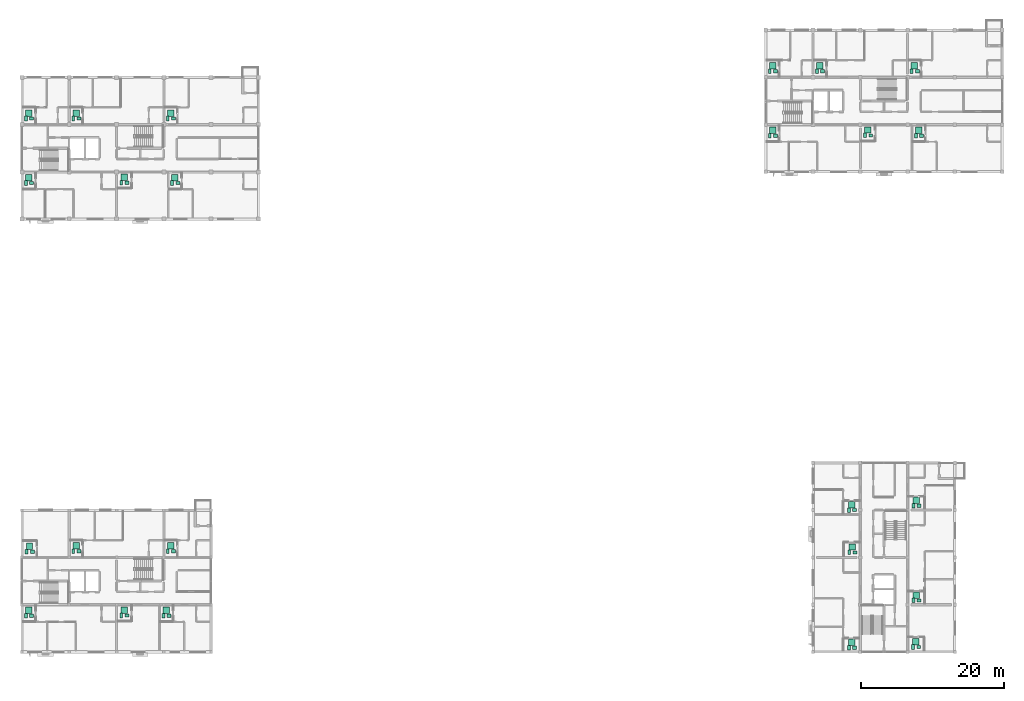
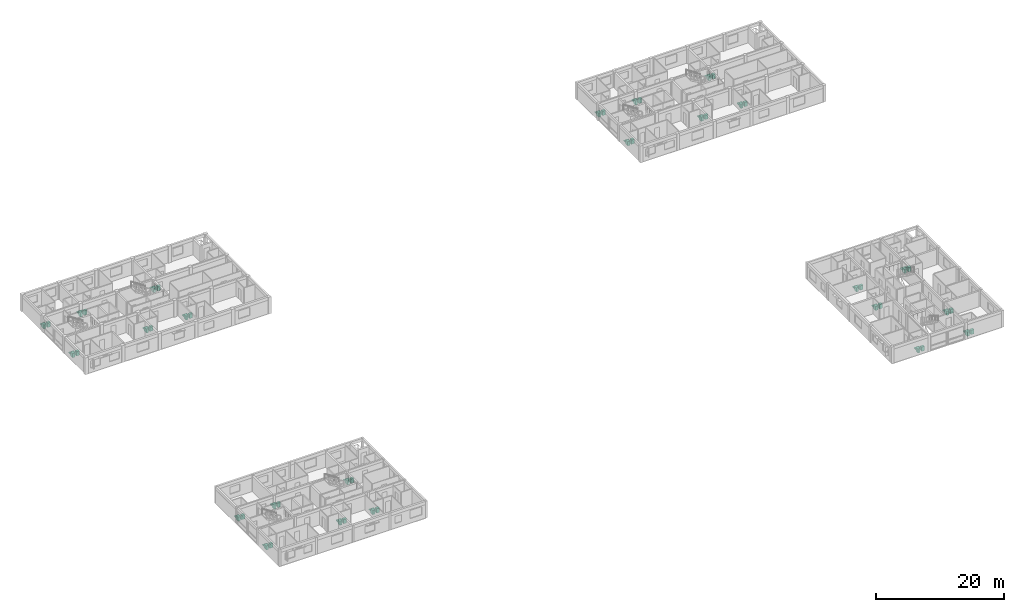
# One storey, part 53 of 53: 72 sanitary terminals.
"""IFC4 building model written with IfcOpenShell, lengths in metres."""

import ifcopenshell
import ifcopenshell.guid

model = None  # the IFC model being written
_history = None  # IfcOwnerHistory: only IFC2X3 demands one
_inside = {}  # id of a spatial element -> (the spatial element, [elements in it])
_under = {}  # id of a project, library or spatial element -> (it, [spatial elements below it])
_declared = {}  # id of a project -> (the project, [libraries it declares])
_typed = {}  # id of a type object -> (the type object, [elements of that type])
_made_of = {}  # id of a material, layer set ... -> (it, [elements and type objects made of it])


def new_model(schema):
    """Start an empty IFC model of exactly this schema.

    Asked for "IFC4X3", IfcOpenShell would pick the latest addendum, in which some entities
    have other attributes; the version numbers below select the first issue.
    IFC2X3 requires an IfcOwnerHistory on every rooted entity: one is made here for all.
    """
    global model, _history
    if schema == "IFC4X3":
        model = ifcopenshell.file(schema_version=(4, 3, 0, 0))
    else:
        model = ifcopenshell.file(schema=schema)
    _inside.clear()
    _under.clear()
    _declared.clear()
    _typed.clear()
    _made_of.clear()
    _history = None
    if model.schema == "IFC2X3":
        org = make("IfcOrganization", Name="unknown")
        user = make(
            "IfcPersonAndOrganization",
            ThePerson=make("IfcPerson", FamilyName="unknown"),
            TheOrganization=org,
        )
        app = make(
            "IfcApplication",
            ApplicationDeveloper=org,
            Version="unknown",
            ApplicationFullName="unknown",
            ApplicationIdentifier="unknown",
        )
        _history = make(
            "IfcOwnerHistory",
            OwningUser=user,
            OwningApplication=app,
            ChangeAction="ADDED",
            CreationDate=0,
        )
    return model


def make(cls, **values):
    """One entity of the class cls with the attributes given. An attribute that is None is left unset."""
    return model.create_entity(
        cls, **{name: value for name, value in values.items() if value is not None}
    )


def rooted(cls, **values):
    """An entity with a GlobalId (a new one), such as an element, a storey or a relation."""
    return make(cls, GlobalId=ifcopenshell.guid.new(), OwnerHistory=_history, **values)


def si_unit(unit_type, name, prefix=None):
    """IfcSIUnit, for example si_unit("LENGTHUNIT", "METRE", prefix="MILLI")."""
    return make("IfcSIUnit", UnitType=unit_type, Prefix=prefix, Name=name)


def assignment(units):
    """IfcUnitAssignment: the units of a project."""
    return None if units is None else make("IfcUnitAssignment", Units=units)


def point(xyz):
    """IfcCartesianPoint."""
    return None if xyz is None else make("IfcCartesianPoint", Coordinates=xyz)


def direction(xyz):
    """IfcDirection."""
    return None if xyz is None else make("IfcDirection", DirectionRatios=xyz)


def frame(location, z_axis=None, x_axis=None):
    """IfcAxis2Placement3D, a coordinate frame: its origin and axes. An axis left out is left unset."""
    return make(
        "IfcAxis2Placement3D",
        Location=point(location),
        Axis=direction(z_axis),
        RefDirection=direction(x_axis),
    )


def frame_2d(location, x_axis=None):
    """IfcAxis2Placement2D, a coordinate frame in the plane: its origin and x axis."""
    return make(
        "IfcAxis2Placement2D", Location=point(location), RefDirection=direction(x_axis)
    )


def origin():
    """The frame at (0, 0, 0) with its axes left unset."""
    return frame((0.0, 0.0, 0.0))


def origin_2d():
    """The frame at (0, 0) in the plane with its x axis left unset."""
    return frame_2d((0.0, 0.0))


def place(relative_to, where):
    """IfcLocalPlacement: puts the frame where relative to a parent placement (None: the world)."""
    return make(
        "IfcLocalPlacement", PlacementRelTo=relative_to, RelativePlacement=where
    )


def context(
    kind, dimensions, precision=None, world=None, true_north=None, identifier=None
):
    """IfcGeometricRepresentationContext, for example the 3D "Model" context."""
    return make(
        "IfcGeometricRepresentationContext",
        ContextIdentifier=identifier,
        ContextType=kind,
        CoordinateSpaceDimension=dimensions,
        Precision=precision,
        WorldCoordinateSystem=world,
        TrueNorth=true_north,
    )


def subcontext(parent, identifier, kind, view, scale=None):
    """IfcGeometricRepresentationSubContext, for example "Body" below "Model"."""
    return make(
        "IfcGeometricRepresentationSubContext",
        ContextIdentifier=identifier,
        ContextType=kind,
        ParentContext=parent,
        TargetScale=scale,
        TargetView=view,
    )


def project(units=None, contexts=None):
    """IfcProject with its units and contexts."""
    return rooted(
        "IfcProject",
        Name="project",
        RepresentationContexts=contexts,
        UnitsInContext=assignment(units),
    )


def spatial(cls, under=None, at=None, **own):
    """A site, building, storey or space (cls), placed at a placement, below another one or the project."""
    s = rooted(cls, ObjectPlacement=at, **own)
    if under is not None:
        _under.setdefault(under.id(), (under, []))[1].append(s)
    return s


def profile(cls, at=None, kind="AREA", **sizes):
    """A parametric profile (cls). Its sizes go by their IFC names, for example OverallWidth=200.0."""
    return make(cls, ProfileType=kind, Position=at, **sizes)


def rectangle(**sizes):
    """IfcRectangleProfileDef."""
    return profile("IfcRectangleProfileDef", **sizes)


def extrude(swept, where, along, depth):
    """IfcExtrudedAreaSolid: the profile swept, set in the frame where, extruded along a direction by depth."""
    return make(
        "IfcExtrudedAreaSolid",
        SweptArea=swept,
        Position=where,
        ExtrudedDirection=direction(along),
        Depth=depth,
    )


def shape(context_of_items, identifier, shape_type, items):
    """IfcShapeRepresentation: the items that make up one representation, for example the "Body"."""
    return make(
        "IfcShapeRepresentation",
        ContextOfItems=context_of_items,
        RepresentationIdentifier=identifier,
        RepresentationType=shape_type,
        Items=items,
    )


def material(Name=None, Category=None):
    """IfcMaterial."""
    return make("IfcMaterial", Name=Name, Category=Category)


def made_of(thing, what):
    """Note that an element or type object is made of a material, layer set ...; save() writes the relation."""
    if what is not None:
        _made_of.setdefault(what.id(), (what, []))[1].append(thing)
    return thing


def type_object(cls, material=None, **own):
    """A type object (cls), such as IfcWallType, which elements share."""
    return made_of(rooted(cls, **own), material)


def element(
    cls,
    number,
    at=None,
    inside=None,
    cuts=None,
    type_object=None,
    material=None,
    context=None,
    identifier="Body",
    shape_type=None,
    held_by="IfcProductDefinitionShape",
    body=None,
    shapes=None,
    **own,
):
    """One element of the class cls, such as IfcWall. Its Tag is "e" and its number.

    at: its placement. inside: the storey or other place that contains it. cuts: it is an
    opening in that element (IfcRelVoidsElement). A single representation is given by context,
    identifier, shape_type and body (its items); several are given by shapes. held_by: the class
    of the entity that holds the representations. save() writes the other relations.
    """
    e = rooted(cls, Tag="e%d" % number, ObjectPlacement=at, **own)
    if body is not None:
        shapes = [shape(context, identifier, shape_type, body)]
    if shapes is not None:
        e.Representation = make(held_by, Representations=shapes)
    if inside is not None:
        _inside.setdefault(inside.id(), (inside, []))[1].append(e)
    if cuts is not None:
        rooted(
            "IfcRelVoidsElement", RelatingBuildingElement=cuts, RelatedOpeningElement=e
        )
    if type_object is not None:
        _typed.setdefault(type_object.id(), (type_object, []))[1].append(e)
    return made_of(e, material)


def aggregate(whole, parts):
    """IfcRelAggregates: a whole, such as a stair, and the parts it consists of."""
    return rooted("IfcRelAggregates", RelatingObject=whole, RelatedObjects=parts)


def save(model, path):
    """Write the relations noted so far, then the file.

    IfcRelAggregates (storeys below a building ...), IfcRelContainedInSpatialStructure (elements
    in a storey), IfcRelDefinesByType, IfcRelAssociatesMaterial and IfcRelDeclares: one each for
    every whole, place, type object, material and project.
    """
    for whole, parts in _under.values():
        aggregate(whole, parts)
    for where, things in _inside.values():
        rooted(
            "IfcRelContainedInSpatialStructure",
            RelatedElements=things,
            RelatingStructure=where,
        )
    for kind, things in _typed.values():
        rooted("IfcRelDefinesByType", RelatedObjects=things, RelatingType=kind)
    for what, things in _made_of.values():
        rooted("IfcRelAssociatesMaterial", RelatedObjects=things, RelatingMaterial=what)
    for by, libraries in _declared.values():
        rooted("IfcRelDeclares", RelatingContext=by, RelatedDefinitions=libraries)
    model.write(path)


model = new_model("IFC4")

# Units and contexts
model_context = context("Model", 3, precision=1e-05, world=origin(), true_north=direction((0.0, 1.0)))
body_context = subcontext(model_context, "Body", "Model", "MODEL_VIEW")
ifc_project = project(units=[si_unit("LENGTHUNIT", "METRE"), si_unit("AREAUNIT", "SQUARE_METRE"), si_unit("VOLUMEUNIT", "CUBIC_METRE"), si_unit("PLANEANGLEUNIT", "RADIAN"), si_unit("MASSUNIT", "GRAM", prefix="KILO")], contexts=[model_context])

# Site, building, storey
site_placement = place(None, origin())
site = spatial("IfcSite", under=ifc_project, at=site_placement, CompositionType="ELEMENT")
building_placement = place(site_placement, origin())
building = spatial("IfcBuilding", under=site, at=building_placement, Name="Kernevlak Ridge Housing Community", CompositionType="ELEMENT")
storey_placement = place(building_placement, frame((0.0, 0.0, 24.39990234375)))
storey = spatial("IfcBuildingStorey", under=building, at=storey_placement, Name="L07", CompositionType="ELEMENT", Elevation=24.39990234375)

# Sanitary terminals
ifc_material_1 = material(Name="Vitreous china ceramic")
sanitary_terminal_type_1 = type_object("IfcSanitaryTerminalType", Name="SN-BS", PredefinedType="WASHHANDBASIN", material=ifc_material_1)
for number, where, z_axis, x_axis, name in (
    (1, (16.949951171875, 81.050048828125, 0.0), (0.0, 0.0, 1.0), (1.0, 0.0, 0.0), "Washhand basin 37"),
    (2, (30.25, 81.10009765625, 0.0), (0.0, 0.0, 1.0), (1.0, 0.0, 0.0), "Washhand basin 38"),
    (3, (37.35009765625, 81.050048828125, 0.0), (0.0, 0.0, 1.0), (1.0, 0.0, 0.0), "Washhand basin 39"),
    (4, (16.949951171875, 90.050048828125, 0.0), (0.0, 0.0, 1.0), (1.0, 0.0, 0.0), "Washhand basin 40"),
    (5, (23.550048828125, 90.050048828125, 0.0), (0.0, 0.0, 1.0), (1.0, 0.0, 0.0), "Washhand basin 41"),
    (6, (36.75, 90.050048828125, 0.0), (0.0, 0.0, 1.0), (1.0, 0.0, 0.0), "Washhand basin 42"),
    (7, (120.75, 87.64990234375, 0.0), (0.0, 0.0, 1.0), (1.0, 0.0, 0.0), "Washhand basin 134"),
    (8, (134.050048828125, 87.699951171875, 0.0), (0.0, 0.0, 1.0), (1.0, 0.0, 0.0), "Washhand basin 135"),
    (9, (141.14990234375, 87.64990234375, 0.0), (0.0, 0.0, 1.0), (1.0, 0.0, 0.0), "Washhand basin 136"),
    (10, (120.75, 96.64990234375, 0.0), (0.0, 0.0, 1.0), (1.0, 0.0, 0.0), "Washhand basin 137"),
    (11, (127.35009765625, 96.64990234375, 0.0), (0.0, 0.0, 1.0), (1.0, 0.0, 0.0), "Washhand basin 138"),
    (12, (140.550048828125, 96.64990234375, 0.0), (0.0, 0.0, 1.0), (1.0, 0.0, 0.0), "Washhand basin 139"),
    (13, (131.800048828125, 16.199951171875, 0.0), (0.0, 0.0, 1.0), (1.0, 0.0, 0.0), "Washhand basin 216"),
    (14, (131.85009765625, 29.5, 0.0), (0.0, 0.0, 1.0), (1.0, 0.0, 0.0), "Washhand basin 217"),
    (15, (131.800048828125, 35.39990234375, 0.0), (0.0, 0.0, 1.0), (1.0, 0.0, 0.0), "Washhand basin 218"),
    (16, (140.75, 16.300048828125, 0.0), (0.0, 0.0, 1.0), (1.0, 0.0, 0.0), "Washhand basin 219"),
    (17, (140.800048828125, 22.800048828125, 0.0), (0.0, 0.0, 1.0), (1.0, 0.0, 0.0), "Washhand basin 220"),
    (18, (140.800048828125, 36.0, 0.0), (0.0, 0.0, 1.0), (1.0, 0.0, 0.0), "Washhand basin 221"),
    (19, (16.949951171875, 20.64990234375, 0.0), (0.0, 0.0, 1.0), (1.0, 0.0, 0.0), "Washhand basin 281"),
    (20, (30.25, 20.699951171875, 0.0), (0.0, 0.0, 1.0), (1.0, 0.0, 0.0), "Washhand basin 282"),
    (21, (36.14990234375, 20.64990234375, 0.0), (0.0, 0.0, 1.0), (1.0, 0.0, 0.0), "Washhand basin 283"),
    (22, (17.050048828125, 29.60009765625, 0.0), (0.0, 0.0, 1.0), (1.0, 0.0, 0.0), "Washhand basin 284"),
    (23, (23.550048828125, 29.64990234375, 0.0), (0.0, 0.0, 1.0), (1.0, 0.0, 0.0), "Washhand basin 285"),
    (24, (36.75, 29.64990234375, 0.0), (0.0, 0.0, 1.0), (1.0, 0.0, 0.0), "Washhand basin 286"),
):
    element("IfcSanitaryTerminal", number, at=place(storey_placement, frame(where, z_axis=z_axis, x_axis=x_axis)), inside=storey, type_object=sanitary_terminal_type_1, Name=name, PredefinedType="WASHHANDBASIN", context=body_context, shape_type="SweptSolid", body=[
        extrude(rectangle(XDim=0.550048828125, YDim=0.449951171875, at=origin_2d()), origin(), (0.0, 0.0, 1.0), 0.820068359375),
    ])
ifc_material_2 = material(Name="Glazed porcelain ceramic")
sanitary_terminal_type_2 = type_object("IfcSanitaryTerminalType", Name="SN-SH", PredefinedType="SHOWER", material=ifc_material_2)
for number, where, z_axis, x_axis, name in (
    (25, (16.550048828125, 81.800048828125, 0.0), (0.0, 0.0, 1.0), (1.0, 0.0, 0.0), "Shower tray 37"),
    (26, (29.85009765625, 81.85009765625, 0.0), (0.0, 0.0, 1.0), (1.0, 0.0, 0.0), "Shower tray 38"),
    (27, (36.949951171875, 81.800048828125, 0.0), (0.0, 0.0, 1.0), (1.0, 0.0, 0.0), "Shower tray 39"),
    (28, (16.550048828125, 90.800048828125, 0.0), (0.0, 0.0, 1.0), (1.0, 0.0, 0.0), "Shower tray 40"),
    (29, (23.14990234375, 90.800048828125, 0.0), (0.0, 0.0, 1.0), (1.0, 0.0, 0.0), "Shower tray 41"),
    (30, (36.35009765625, 90.800048828125, 0.0), (0.0, 0.0, 1.0), (1.0, 0.0, 0.0), "Shower tray 42"),
    (31, (120.35009765625, 88.39990234375, 0.0), (0.0, 0.0, 1.0), (1.0, 0.0, 0.0), "Shower tray 134"),
    (32, (133.64990234375, 88.449951171875, 0.0), (0.0, 0.0, 1.0), (1.0, 0.0, 0.0), "Shower tray 135"),
    (33, (140.75, 88.39990234375, 0.0), (0.0, 0.0, 1.0), (1.0, 0.0, 0.0), "Shower tray 136"),
    (34, (120.35009765625, 97.39990234375, 0.0), (0.0, 0.0, 1.0), (1.0, 0.0, 0.0), "Shower tray 137"),
    (35, (126.949951171875, 97.39990234375, 0.0), (0.0, 0.0, 1.0), (1.0, 0.0, 0.0), "Shower tray 138"),
    (36, (140.14990234375, 97.39990234375, 0.0), (0.0, 0.0, 1.0), (1.0, 0.0, 0.0), "Shower tray 139"),
    (37, (131.39990234375, 16.949951171875, 0.0), (0.0, 0.0, 1.0), (1.0, 0.0, 0.0), "Shower tray 216"),
    (38, (131.449951171875, 30.25, 0.0), (0.0, 0.0, 1.0), (1.0, 0.0, 0.0), "Shower tray 217"),
    (39, (131.39990234375, 36.14990234375, 0.0), (0.0, 0.0, 1.0), (1.0, 0.0, 0.0), "Shower tray 218"),
    (40, (140.35009765625, 17.050048828125, 0.0), (0.0, 0.0, 1.0), (1.0, 0.0, 0.0), "Shower tray 219"),
    (41, (140.39990234375, 23.550048828125, 0.0), (0.0, 0.0, 1.0), (1.0, 0.0, 0.0), "Shower tray 220"),
    (42, (140.39990234375, 36.75, 0.0), (0.0, 0.0, 1.0), (1.0, 0.0, 0.0), "Shower tray 221"),
    (43, (16.550048828125, 21.39990234375, 0.0), (0.0, 0.0, 1.0), (1.0, 0.0, 0.0), "Shower tray 281"),
    (44, (29.85009765625, 21.449951171875, 0.0), (0.0, 0.0, 1.0), (1.0, 0.0, 0.0), "Shower tray 282"),
    (45, (35.75, 21.39990234375, 0.0), (0.0, 0.0, 1.0), (1.0, 0.0, 0.0), "Shower tray 283"),
    (46, (16.64990234375, 30.35009765625, 0.0), (0.0, 0.0, 1.0), (1.0, 0.0, 0.0), "Shower tray 284"),
    (47, (23.14990234375, 30.39990234375, 0.0), (0.0, 0.0, 1.0), (1.0, 0.0, 0.0), "Shower tray 285"),
    (48, (36.35009765625, 30.39990234375, 0.0), (0.0, 0.0, 1.0), (1.0, 0.0, 0.0), "Shower tray 286"),
):
    element("IfcSanitaryTerminal", number, at=place(storey_placement, frame(where, z_axis=z_axis, x_axis=x_axis)), inside=storey, type_object=sanitary_terminal_type_2, Name=name, PredefinedType="SHOWER", context=body_context, shape_type="SweptSolid", body=[
        extrude(rectangle(XDim=0.89990234375, YDim=0.89990234375, at=origin_2d()), origin(), (0.0, 0.0, 1.0), 0.1201171875),
    ])
sanitary_terminal_type_3 = type_object("IfcSanitaryTerminalType", Name="SN-WC", PredefinedType="TOILETPAN", material=ifc_material_1)
for number, where, z_axis, x_axis, name in (
    (49, (16.14990234375, 81.050048828125, 0.0), (0.0, 0.0, 1.0), (1.0, 0.0, 0.0), "WC pan 37"),
    (50, (29.449951171875, 81.10009765625, 0.0), (0.0, 0.0, 1.0), (1.0, 0.0, 0.0), "WC pan 38"),
    (51, (36.550048828125, 81.050048828125, 0.0), (0.0, 0.0, 1.0), (1.0, 0.0, 0.0), "WC pan 39"),
    (52, (16.14990234375, 90.050048828125, 0.0), (0.0, 0.0, 1.0), (1.0, 0.0, 0.0), "WC pan 40"),
    (53, (22.75, 90.050048828125, 0.0), (0.0, 0.0, 1.0), (1.0, 0.0, 0.0), "WC pan 41"),
    (54, (35.949951171875, 90.050048828125, 0.0), (0.0, 0.0, 1.0), (1.0, 0.0, 0.0), "WC pan 42"),
    (55, (119.949951171875, 87.64990234375, 0.0), (0.0, 0.0, 1.0), (1.0, 0.0, 0.0), "WC pan 134"),
    (56, (133.25, 87.699951171875, 0.0), (0.0, 0.0, 1.0), (1.0, 0.0, 0.0), "WC pan 135"),
    (57, (140.35009765625, 87.64990234375, 0.0), (0.0, 0.0, 1.0), (1.0, 0.0, 0.0), "WC pan 136"),
    (58, (119.949951171875, 96.64990234375, 0.0), (0.0, 0.0, 1.0), (1.0, 0.0, 0.0), "WC pan 137"),
    (59, (126.550048828125, 96.64990234375, 0.0), (0.0, 0.0, 1.0), (1.0, 0.0, 0.0), "WC pan 138"),
    (60, (139.75, 96.64990234375, 0.0), (0.0, 0.0, 1.0), (1.0, 0.0, 0.0), "WC pan 139"),
    (61, (131.0, 16.199951171875, 0.0), (0.0, 0.0, 1.0), (1.0, 0.0, 0.0), "WC pan 216"),
    (62, (131.050048828125, 29.5, 0.0), (0.0, 0.0, 1.0), (1.0, 0.0, 0.0), "WC pan 217"),
    (63, (131.0, 35.39990234375, 0.0), (0.0, 0.0, 1.0), (1.0, 0.0, 0.0), "WC pan 218"),
    (64, (139.949951171875, 16.300048828125, 0.0), (0.0, 0.0, 1.0), (1.0, 0.0, 0.0), "WC pan 219"),
    (65, (140.0, 22.800048828125, 0.0), (0.0, 0.0, 1.0), (1.0, 0.0, 0.0), "WC pan 220"),
    (66, (140.0, 36.0, 0.0), (0.0, 0.0, 1.0), (1.0, 0.0, 0.0), "WC pan 221"),
    (67, (16.14990234375, 20.64990234375, 0.0), (0.0, 0.0, 1.0), (1.0, 0.0, 0.0), "WC pan 281"),
    (68, (29.449951171875, 20.699951171875, 0.0), (0.0, 0.0, 1.0), (1.0, 0.0, 0.0), "WC pan 282"),
    (69, (35.35009765625, 20.64990234375, 0.0), (0.0, 0.0, 1.0), (1.0, 0.0, 0.0), "WC pan 283"),
    (70, (16.25, 29.60009765625, 0.0), (0.0, 0.0, 1.0), (1.0, 0.0, 0.0), "WC pan 284"),
    (71, (22.75, 29.64990234375, 0.0), (0.0, 0.0, 1.0), (1.0, 0.0, 0.0), "WC pan 285"),
    (72, (35.949951171875, 29.64990234375, 0.0), (0.0, 0.0, 1.0), (1.0, 0.0, 0.0), "WC pan 286"),
):
    element("IfcSanitaryTerminal", number, at=place(storey_placement, frame(where, z_axis=z_axis, x_axis=x_axis)), inside=storey, type_object=sanitary_terminal_type_3, Name=name, PredefinedType="TOILETPAN", context=body_context, shape_type="SweptSolid", body=[
        extrude(rectangle(XDim=0.39990234375, YDim=0.64990234375, at=origin_2d()), origin(), (0.0, 0.0, 1.0), 0.780029296875),
    ])

save(model, "model.ifc")
